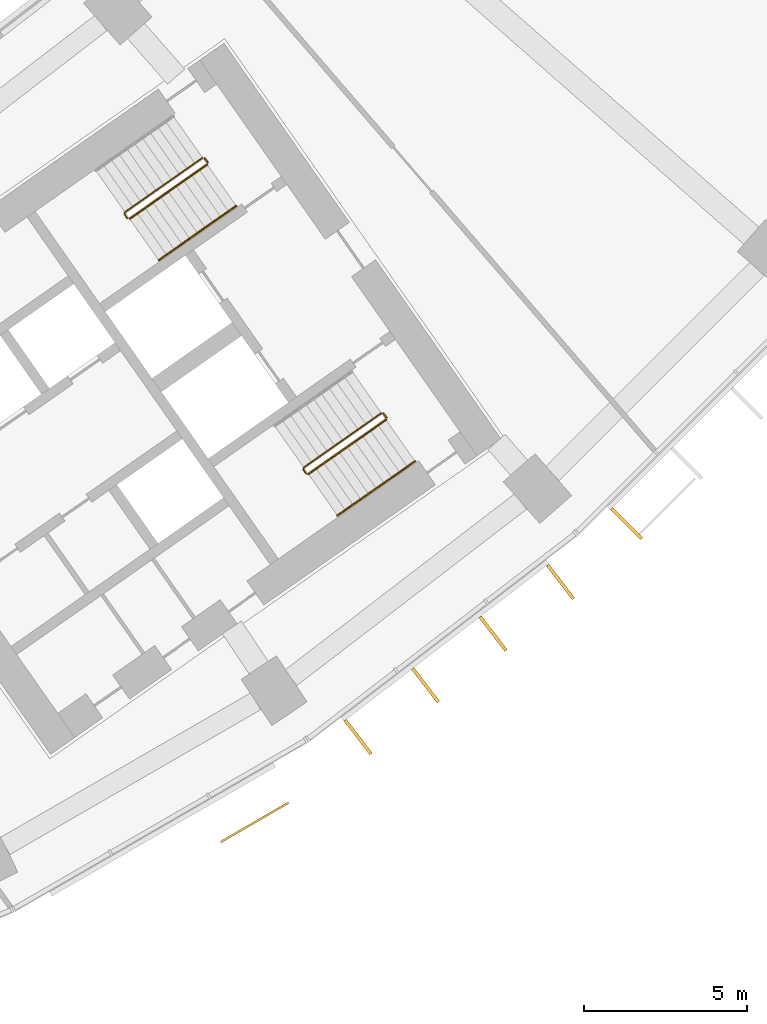
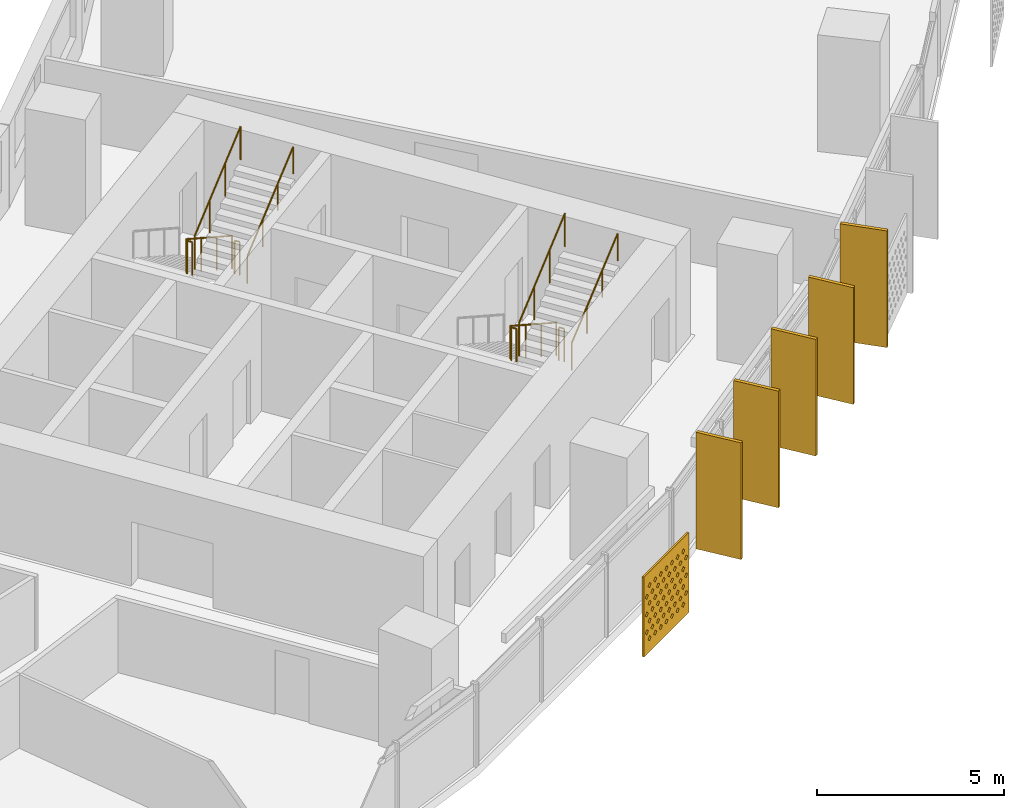
# One storey, part 29 of 31: 8 railings, 6 shading devices.
"""IFC4 building model written with IfcOpenShell, lengths in metres."""

from ifc_helpers import new_model, si_unit, direction, frame, origin, origin_2d, place, context, subcontext, project, spatial, polyline, rectangle, circle, outline, extrude, material, material_profile, profile_set, type_object, element, save


model = new_model("IFC4")

# Units and contexts
model_context = context("Model", 3, precision=1e-05, world=origin(), true_north=direction((0.0, 1.0)))
body_context = subcontext(model_context, "Body", "Model", "MODEL_VIEW")
ifc_project = project(units=[si_unit("LENGTHUNIT", "METRE"), si_unit("AREAUNIT", "SQUARE_METRE"), si_unit("VOLUMEUNIT", "CUBIC_METRE"), si_unit("PLANEANGLEUNIT", "RADIAN"), si_unit("MASSUNIT", "GRAM", prefix="KILO")], contexts=[model_context])

# Site, building, storey
site_placement = place(None, origin())
site = spatial("IfcSite", under=ifc_project, at=site_placement, CompositionType="ELEMENT")
building_placement = place(site_placement, origin())
building = spatial("IfcBuilding", under=site, at=building_placement, Name="Qamariyya Broadcast Tower", CompositionType="ELEMENT")
storey_placement = place(building_placement, frame((0.0, 0.0, 74.699951171875)))
storey = spatial("IfcBuildingStorey", under=building, at=storey_placement, Name="L15", CompositionType="ELEMENT", Elevation=74.699951171875)

# Shading device
ifc_material_1 = material(Name="Perforated glazed terracotta", Category="masonry")
ifc_material_profile_1 = material_profile(ifc_material_1, outline(polyline([(-1.199951171875, -1.300048828125), (1.199951171875, -1.300048828125), (1.199951171875, 1.300048828125), (-1.199951171875, 1.300048828125), (-1.199951171875, -1.300048828125)]), holes=[polyline([(-0.81494140625, -0.86669921875), (-0.89990234375, -0.78173828125), (-0.985107421875, -0.86669921875), (-0.89990234375, -0.95166015625), (-0.81494140625, -0.86669921875)]), polyline([(-0.514892578125, -0.86669921875), (-0.60009765625, -0.78173828125), (-0.68505859375, -0.86669921875), (-0.60009765625, -0.95166015625), (-0.514892578125, -0.86669921875)]), polyline([(-0.215087890625, -0.86669921875), (-0.300048828125, -0.78173828125), (-0.385009765625, -0.86669921875), (-0.300048828125, -0.95166015625), (-0.215087890625, -0.86669921875)]), polyline([(0.0849609375, -0.86669921875), (0.0, -0.78173828125), (-0.0849609375, -0.86669921875), (0.0, -0.95166015625), (0.0849609375, -0.86669921875)]), polyline([(0.385009765625, -0.86669921875), (0.300048828125, -0.78173828125), (0.215087890625, -0.86669921875), (0.300048828125, -0.95166015625), (0.385009765625, -0.86669921875)]), polyline([(0.68505859375, -0.86669921875), (0.60009765625, -0.78173828125), (0.514892578125, -0.86669921875), (0.60009765625, -0.95166015625), (0.68505859375, -0.86669921875)]), polyline([(0.985107421875, -0.86669921875), (0.89990234375, -0.78173828125), (0.81494140625, -0.86669921875), (0.89990234375, -0.95166015625), (0.985107421875, -0.86669921875)]), polyline([(-0.965087890625, -0.577880859375), (-1.050048828125, -0.49267578125), (-1.135009765625, -0.577880859375), (-1.050048828125, -0.662841796875), (-0.965087890625, -0.577880859375)]), polyline([(-0.6650390625, -0.577880859375), (-0.75, -0.49267578125), (-0.8349609375, -0.577880859375), (-0.75, -0.662841796875), (-0.6650390625, -0.577880859375)]), polyline([(-0.364990234375, -0.577880859375), (-0.449951171875, -0.49267578125), (-0.534912109375, -0.577880859375), (-0.449951171875, -0.662841796875), (-0.364990234375, -0.577880859375)]), polyline([(-0.06494140625, -0.577880859375), (-0.14990234375, -0.49267578125), (-0.235107421875, -0.577880859375), (-0.14990234375, -0.662841796875), (-0.06494140625, -0.577880859375)]), polyline([(0.235107421875, -0.577880859375), (0.14990234375, -0.49267578125), (0.06494140625, -0.577880859375), (0.14990234375, -0.662841796875), (0.235107421875, -0.577880859375)]), polyline([(0.534912109375, -0.577880859375), (0.449951171875, -0.49267578125), (0.364990234375, -0.577880859375), (0.449951171875, -0.662841796875), (0.534912109375, -0.577880859375)]), polyline([(0.8349609375, -0.577880859375), (0.75, -0.49267578125), (0.6650390625, -0.577880859375), (0.75, -0.662841796875), (0.8349609375, -0.577880859375)]), polyline([(1.135009765625, -0.577880859375), (1.050048828125, -0.49267578125), (0.965087890625, -0.577880859375), (1.050048828125, -0.662841796875), (1.135009765625, -0.577880859375)]), polyline([(-0.81494140625, -0.288818359375), (-0.89990234375, -0.203857421875), (-0.985107421875, -0.288818359375), (-0.89990234375, -0.373779296875), (-0.81494140625, -0.288818359375)]), polyline([(-0.514892578125, -0.288818359375), (-0.60009765625, -0.203857421875), (-0.68505859375, -0.288818359375), (-0.60009765625, -0.373779296875), (-0.514892578125, -0.288818359375)]), polyline([(-0.215087890625, -0.288818359375), (-0.300048828125, -0.203857421875), (-0.385009765625, -0.288818359375), (-0.300048828125, -0.373779296875), (-0.215087890625, -0.288818359375)]), polyline([(0.0849609375, -0.288818359375), (0.0, -0.203857421875), (-0.0849609375, -0.288818359375), (0.0, -0.373779296875), (0.0849609375, -0.288818359375)]), polyline([(0.385009765625, -0.288818359375), (0.300048828125, -0.203857421875), (0.215087890625, -0.288818359375), (0.300048828125, -0.373779296875), (0.385009765625, -0.288818359375)]), polyline([(0.68505859375, -0.288818359375), (0.60009765625, -0.203857421875), (0.514892578125, -0.288818359375), (0.60009765625, -0.373779296875), (0.68505859375, -0.288818359375)]), polyline([(0.985107421875, -0.288818359375), (0.89990234375, -0.203857421875), (0.81494140625, -0.288818359375), (0.89990234375, -0.373779296875), (0.985107421875, -0.288818359375)]), polyline([(-0.965087890625, 0.0), (-1.050048828125, 0.0849609375), (-1.135009765625, 0.0), (-1.050048828125, -0.0849609375), (-0.965087890625, 0.0)]), polyline([(-0.6650390625, 0.0), (-0.75, 0.0849609375), (-0.8349609375, 0.0), (-0.75, -0.0849609375), (-0.6650390625, 0.0)]), polyline([(-0.364990234375, 0.0), (-0.449951171875, 0.0849609375), (-0.534912109375, 0.0), (-0.449951171875, -0.0849609375), (-0.364990234375, 0.0)]), polyline([(-0.06494140625, 0.0), (-0.14990234375, 0.0849609375), (-0.235107421875, 0.0), (-0.14990234375, -0.0849609375), (-0.06494140625, 0.0)]), polyline([(0.235107421875, 0.0), (0.14990234375, 0.0849609375), (0.06494140625, 0.0), (0.14990234375, -0.0849609375), (0.235107421875, 0.0)]), polyline([(0.534912109375, 0.0), (0.449951171875, 0.0849609375), (0.364990234375, 0.0), (0.449951171875, -0.0849609375), (0.534912109375, 0.0)]), polyline([(0.8349609375, 0.0), (0.75, 0.0849609375), (0.6650390625, 0.0), (0.75, -0.0849609375), (0.8349609375, 0.0)]), polyline([(1.135009765625, 0.0), (1.050048828125, 0.0849609375), (0.965087890625, 0.0), (1.050048828125, -0.0849609375), (1.135009765625, 0.0)]), polyline([(-0.81494140625, 0.288818359375), (-0.89990234375, 0.373779296875), (-0.985107421875, 0.288818359375), (-0.89990234375, 0.203857421875), (-0.81494140625, 0.288818359375)]), polyline([(-0.514892578125, 0.288818359375), (-0.60009765625, 0.373779296875), (-0.68505859375, 0.288818359375), (-0.60009765625, 0.203857421875), (-0.514892578125, 0.288818359375)]), polyline([(-0.215087890625, 0.288818359375), (-0.300048828125, 0.373779296875), (-0.385009765625, 0.288818359375), (-0.300048828125, 0.203857421875), (-0.215087890625, 0.288818359375)]), polyline([(0.0849609375, 0.288818359375), (0.0, 0.373779296875), (-0.0849609375, 0.288818359375), (0.0, 0.203857421875), (0.0849609375, 0.288818359375)]), polyline([(0.385009765625, 0.288818359375), (0.300048828125, 0.373779296875), (0.215087890625, 0.288818359375), (0.300048828125, 0.203857421875), (0.385009765625, 0.288818359375)]), polyline([(0.68505859375, 0.288818359375), (0.60009765625, 0.373779296875), (0.514892578125, 0.288818359375), (0.60009765625, 0.203857421875), (0.68505859375, 0.288818359375)]), polyline([(0.985107421875, 0.288818359375), (0.89990234375, 0.373779296875), (0.81494140625, 0.288818359375), (0.89990234375, 0.203857421875), (0.985107421875, 0.288818359375)]), polyline([(-0.965087890625, 0.577880859375), (-1.050048828125, 0.662841796875), (-1.135009765625, 0.577880859375), (-1.050048828125, 0.49267578125), (-0.965087890625, 0.577880859375)]), polyline([(-0.6650390625, 0.577880859375), (-0.75, 0.662841796875), (-0.8349609375, 0.577880859375), (-0.75, 0.49267578125), (-0.6650390625, 0.577880859375)]), polyline([(-0.364990234375, 0.577880859375), (-0.449951171875, 0.662841796875), (-0.534912109375, 0.577880859375), (-0.449951171875, 0.49267578125), (-0.364990234375, 0.577880859375)]), polyline([(-0.06494140625, 0.577880859375), (-0.14990234375, 0.662841796875), (-0.235107421875, 0.577880859375), (-0.14990234375, 0.49267578125), (-0.06494140625, 0.577880859375)]), polyline([(0.235107421875, 0.577880859375), (0.14990234375, 0.662841796875), (0.06494140625, 0.577880859375), (0.14990234375, 0.49267578125), (0.235107421875, 0.577880859375)]), polyline([(0.534912109375, 0.577880859375), (0.449951171875, 0.662841796875), (0.364990234375, 0.577880859375), (0.449951171875, 0.49267578125), (0.534912109375, 0.577880859375)]), polyline([(0.8349609375, 0.577880859375), (0.75, 0.662841796875), (0.6650390625, 0.577880859375), (0.75, 0.49267578125), (0.8349609375, 0.577880859375)]), polyline([(1.135009765625, 0.577880859375), (1.050048828125, 0.662841796875), (0.965087890625, 0.577880859375), (1.050048828125, 0.49267578125), (1.135009765625, 0.577880859375)]), polyline([(-0.81494140625, 0.86669921875), (-0.89990234375, 0.95166015625), (-0.985107421875, 0.86669921875), (-0.89990234375, 0.78173828125), (-0.81494140625, 0.86669921875)]), polyline([(-0.514892578125, 0.86669921875), (-0.60009765625, 0.95166015625), (-0.68505859375, 0.86669921875), (-0.60009765625, 0.78173828125), (-0.514892578125, 0.86669921875)]), polyline([(-0.215087890625, 0.86669921875), (-0.300048828125, 0.95166015625), (-0.385009765625, 0.86669921875), (-0.300048828125, 0.78173828125), (-0.215087890625, 0.86669921875)]), polyline([(0.0849609375, 0.86669921875), (0.0, 0.95166015625), (-0.0849609375, 0.86669921875), (0.0, 0.78173828125), (0.0849609375, 0.86669921875)]), polyline([(0.385009765625, 0.86669921875), (0.300048828125, 0.95166015625), (0.215087890625, 0.86669921875), (0.300048828125, 0.78173828125), (0.385009765625, 0.86669921875)]), polyline([(0.68505859375, 0.86669921875), (0.60009765625, 0.95166015625), (0.514892578125, 0.86669921875), (0.60009765625, 0.78173828125), (0.68505859375, 0.86669921875)]), polyline([(0.985107421875, 0.86669921875), (0.89990234375, 0.95166015625), (0.81494140625, 0.86669921875), (0.89990234375, 0.78173828125), (0.985107421875, 0.86669921875)])]))
ifc_profile_set_1 = profile_set([ifc_material_profile_1], Name="Perforated glazed terracotta")
shading_device_type_1 = type_object("IfcShadingDeviceType", Name="Perforated terracotta screen 2400 x 2600", PredefinedType="USERDEFINED", material=ifc_profile_set_1)
shading_device_placement = place(storey_placement, frame((42.585205078125, -68.655029296875, 1.35009765625), z_axis=(0.501840203948, -0.86496035152, 0.0), x_axis=(0.86496035152, 0.501840203948, 0.0)))
element("IfcShadingDevice", 1, at=shading_device_placement, inside=storey, type_object=shading_device_type_1, Name="e-scr-L15-12-2", ObjectType="SCREEN", PredefinedType="USERDEFINED", context=body_context, shape_type="SweptSolid", body=[
    extrude(outline(polyline([(-1.199951171875, -1.300048828125), (1.199951171875, -1.300048828125), (1.199951171875, 1.300048828125), (-1.199951171875, 1.300048828125), (-1.199951171875, -1.300048828125)]), holes=[polyline([(-0.81494140625, -0.86669921875), (-0.89990234375, -0.78173828125), (-0.985107421875, -0.86669921875), (-0.89990234375, -0.95166015625), (-0.81494140625, -0.86669921875)]), polyline([(-0.514892578125, -0.86669921875), (-0.60009765625, -0.78173828125), (-0.68505859375, -0.86669921875), (-0.60009765625, -0.95166015625), (-0.514892578125, -0.86669921875)]), polyline([(-0.215087890625, -0.86669921875), (-0.300048828125, -0.78173828125), (-0.385009765625, -0.86669921875), (-0.300048828125, -0.95166015625), (-0.215087890625, -0.86669921875)]), polyline([(0.0849609375, -0.86669921875), (0.0, -0.78173828125), (-0.0849609375, -0.86669921875), (0.0, -0.95166015625), (0.0849609375, -0.86669921875)]), polyline([(0.385009765625, -0.86669921875), (0.300048828125, -0.78173828125), (0.215087890625, -0.86669921875), (0.300048828125, -0.95166015625), (0.385009765625, -0.86669921875)]), polyline([(0.68505859375, -0.86669921875), (0.60009765625, -0.78173828125), (0.514892578125, -0.86669921875), (0.60009765625, -0.95166015625), (0.68505859375, -0.86669921875)]), polyline([(0.985107421875, -0.86669921875), (0.89990234375, -0.78173828125), (0.81494140625, -0.86669921875), (0.89990234375, -0.95166015625), (0.985107421875, -0.86669921875)]), polyline([(-0.965087890625, -0.577880859375), (-1.050048828125, -0.49267578125), (-1.135009765625, -0.577880859375), (-1.050048828125, -0.662841796875), (-0.965087890625, -0.577880859375)]), polyline([(-0.6650390625, -0.577880859375), (-0.75, -0.49267578125), (-0.8349609375, -0.577880859375), (-0.75, -0.662841796875), (-0.6650390625, -0.577880859375)]), polyline([(-0.364990234375, -0.577880859375), (-0.449951171875, -0.49267578125), (-0.534912109375, -0.577880859375), (-0.449951171875, -0.662841796875), (-0.364990234375, -0.577880859375)]), polyline([(-0.06494140625, -0.577880859375), (-0.14990234375, -0.49267578125), (-0.235107421875, -0.577880859375), (-0.14990234375, -0.662841796875), (-0.06494140625, -0.577880859375)]), polyline([(0.235107421875, -0.577880859375), (0.14990234375, -0.49267578125), (0.06494140625, -0.577880859375), (0.14990234375, -0.662841796875), (0.235107421875, -0.577880859375)]), polyline([(0.534912109375, -0.577880859375), (0.449951171875, -0.49267578125), (0.364990234375, -0.577880859375), (0.449951171875, -0.662841796875), (0.534912109375, -0.577880859375)]), polyline([(0.8349609375, -0.577880859375), (0.75, -0.49267578125), (0.6650390625, -0.577880859375), (0.75, -0.662841796875), (0.8349609375, -0.577880859375)]), polyline([(1.135009765625, -0.577880859375), (1.050048828125, -0.49267578125), (0.965087890625, -0.577880859375), (1.050048828125, -0.662841796875), (1.135009765625, -0.577880859375)]), polyline([(-0.81494140625, -0.288818359375), (-0.89990234375, -0.203857421875), (-0.985107421875, -0.288818359375), (-0.89990234375, -0.373779296875), (-0.81494140625, -0.288818359375)]), polyline([(-0.514892578125, -0.288818359375), (-0.60009765625, -0.203857421875), (-0.68505859375, -0.288818359375), (-0.60009765625, -0.373779296875), (-0.514892578125, -0.288818359375)]), polyline([(-0.215087890625, -0.288818359375), (-0.300048828125, -0.203857421875), (-0.385009765625, -0.288818359375), (-0.300048828125, -0.373779296875), (-0.215087890625, -0.288818359375)]), polyline([(0.0849609375, -0.288818359375), (0.0, -0.203857421875), (-0.0849609375, -0.288818359375), (0.0, -0.373779296875), (0.0849609375, -0.288818359375)]), polyline([(0.385009765625, -0.288818359375), (0.300048828125, -0.203857421875), (0.215087890625, -0.288818359375), (0.300048828125, -0.373779296875), (0.385009765625, -0.288818359375)]), polyline([(0.68505859375, -0.288818359375), (0.60009765625, -0.203857421875), (0.514892578125, -0.288818359375), (0.60009765625, -0.373779296875), (0.68505859375, -0.288818359375)]), polyline([(0.985107421875, -0.288818359375), (0.89990234375, -0.203857421875), (0.81494140625, -0.288818359375), (0.89990234375, -0.373779296875), (0.985107421875, -0.288818359375)]), polyline([(-0.965087890625, 0.0), (-1.050048828125, 0.0849609375), (-1.135009765625, 0.0), (-1.050048828125, -0.0849609375), (-0.965087890625, 0.0)]), polyline([(-0.6650390625, 0.0), (-0.75, 0.0849609375), (-0.8349609375, 0.0), (-0.75, -0.0849609375), (-0.6650390625, 0.0)]), polyline([(-0.364990234375, 0.0), (-0.449951171875, 0.0849609375), (-0.534912109375, 0.0), (-0.449951171875, -0.0849609375), (-0.364990234375, 0.0)]), polyline([(-0.06494140625, 0.0), (-0.14990234375, 0.0849609375), (-0.235107421875, 0.0), (-0.14990234375, -0.0849609375), (-0.06494140625, 0.0)]), polyline([(0.235107421875, 0.0), (0.14990234375, 0.0849609375), (0.06494140625, 0.0), (0.14990234375, -0.0849609375), (0.235107421875, 0.0)]), polyline([(0.534912109375, 0.0), (0.449951171875, 0.0849609375), (0.364990234375, 0.0), (0.449951171875, -0.0849609375), (0.534912109375, 0.0)]), polyline([(0.8349609375, 0.0), (0.75, 0.0849609375), (0.6650390625, 0.0), (0.75, -0.0849609375), (0.8349609375, 0.0)]), polyline([(1.135009765625, 0.0), (1.050048828125, 0.0849609375), (0.965087890625, 0.0), (1.050048828125, -0.0849609375), (1.135009765625, 0.0)]), polyline([(-0.81494140625, 0.288818359375), (-0.89990234375, 0.373779296875), (-0.985107421875, 0.288818359375), (-0.89990234375, 0.203857421875), (-0.81494140625, 0.288818359375)]), polyline([(-0.514892578125, 0.288818359375), (-0.60009765625, 0.373779296875), (-0.68505859375, 0.288818359375), (-0.60009765625, 0.203857421875), (-0.514892578125, 0.288818359375)]), polyline([(-0.215087890625, 0.288818359375), (-0.300048828125, 0.373779296875), (-0.385009765625, 0.288818359375), (-0.300048828125, 0.203857421875), (-0.215087890625, 0.288818359375)]), polyline([(0.0849609375, 0.288818359375), (0.0, 0.373779296875), (-0.0849609375, 0.288818359375), (0.0, 0.203857421875), (0.0849609375, 0.288818359375)]), polyline([(0.385009765625, 0.288818359375), (0.300048828125, 0.373779296875), (0.215087890625, 0.288818359375), (0.300048828125, 0.203857421875), (0.385009765625, 0.288818359375)]), polyline([(0.68505859375, 0.288818359375), (0.60009765625, 0.373779296875), (0.514892578125, 0.288818359375), (0.60009765625, 0.203857421875), (0.68505859375, 0.288818359375)]), polyline([(0.985107421875, 0.288818359375), (0.89990234375, 0.373779296875), (0.81494140625, 0.288818359375), (0.89990234375, 0.203857421875), (0.985107421875, 0.288818359375)]), polyline([(-0.965087890625, 0.577880859375), (-1.050048828125, 0.662841796875), (-1.135009765625, 0.577880859375), (-1.050048828125, 0.49267578125), (-0.965087890625, 0.577880859375)]), polyline([(-0.6650390625, 0.577880859375), (-0.75, 0.662841796875), (-0.8349609375, 0.577880859375), (-0.75, 0.49267578125), (-0.6650390625, 0.577880859375)]), polyline([(-0.364990234375, 0.577880859375), (-0.449951171875, 0.662841796875), (-0.534912109375, 0.577880859375), (-0.449951171875, 0.49267578125), (-0.364990234375, 0.577880859375)]), polyline([(-0.06494140625, 0.577880859375), (-0.14990234375, 0.662841796875), (-0.235107421875, 0.577880859375), (-0.14990234375, 0.49267578125), (-0.06494140625, 0.577880859375)]), polyline([(0.235107421875, 0.577880859375), (0.14990234375, 0.662841796875), (0.06494140625, 0.577880859375), (0.14990234375, 0.49267578125), (0.235107421875, 0.577880859375)]), polyline([(0.534912109375, 0.577880859375), (0.449951171875, 0.662841796875), (0.364990234375, 0.577880859375), (0.449951171875, 0.49267578125), (0.534912109375, 0.577880859375)]), polyline([(0.8349609375, 0.577880859375), (0.75, 0.662841796875), (0.6650390625, 0.577880859375), (0.75, 0.49267578125), (0.8349609375, 0.577880859375)]), polyline([(1.135009765625, 0.577880859375), (1.050048828125, 0.662841796875), (0.965087890625, 0.577880859375), (1.050048828125, 0.49267578125), (1.135009765625, 0.577880859375)]), polyline([(-0.81494140625, 0.86669921875), (-0.89990234375, 0.95166015625), (-0.985107421875, 0.86669921875), (-0.89990234375, 0.78173828125), (-0.81494140625, 0.86669921875)]), polyline([(-0.514892578125, 0.86669921875), (-0.60009765625, 0.95166015625), (-0.68505859375, 0.86669921875), (-0.60009765625, 0.78173828125), (-0.514892578125, 0.86669921875)]), polyline([(-0.215087890625, 0.86669921875), (-0.300048828125, 0.95166015625), (-0.385009765625, 0.86669921875), (-0.300048828125, 0.78173828125), (-0.215087890625, 0.86669921875)]), polyline([(0.0849609375, 0.86669921875), (0.0, 0.95166015625), (-0.0849609375, 0.86669921875), (0.0, 0.78173828125), (0.0849609375, 0.86669921875)]), polyline([(0.385009765625, 0.86669921875), (0.300048828125, 0.95166015625), (0.215087890625, 0.86669921875), (0.300048828125, 0.78173828125), (0.385009765625, 0.86669921875)]), polyline([(0.68505859375, 0.86669921875), (0.60009765625, 0.95166015625), (0.514892578125, 0.86669921875), (0.60009765625, 0.78173828125), (0.68505859375, 0.86669921875)]), polyline([(0.985107421875, 0.86669921875), (0.89990234375, 0.95166015625), (0.81494140625, 0.86669921875), (0.89990234375, 0.78173828125), (0.985107421875, 0.86669921875)])]), origin(), (0.0, 0.0, 1.0), 0.059814453125),
])

# Railings
ifc_material_2 = material(Name="Painted steel", Category="steel")
railing_type_1 = type_object("IfcRailingType", Name="Stair guard", PredefinedType="GUARDRAIL", material=ifc_material_2)
railing_1_placement = place(storey_placement, frame((41.003173828125, -48.320068359375, 0.1728515625)))
element("IfcRailing", 2, at=railing_1_placement, inside=storey, type_object=railing_type_1, Name="L15 ST-E2 stair guard 1", PredefinedType="GUARDRAIL", context=body_context, shape_type="SweptSolid", body=[
    extrude(circle(Radius=0.02392578125, at=origin_2d()), frame((0.0, 0.0, 1.076171875), z_axis=(-0.703770094002, -0.492783725636, 0.511734163933), x_axis=(0.573575343427, -0.819152809562, 0.0)), (0.0, 0.0, 1.0), 3.37548828125),
    extrude(circle(Radius=0.02392578125, at=origin_2d()), frame((-2.37548828125, -1.663330078125, 2.80322265625), z_axis=(-0.172799478008, -0.984957024646, 0.0), x_axis=(0.984957024646, -0.172799478008, 0.0)), (0.0, 0.0, 1.0), 0.070556640625),
    extrude(circle(Radius=0.02392578125, at=origin_2d()), frame((-2.3876953125, -1.73291015625, 2.80322265625), z_axis=(0.572588637393, -0.819842821722, 0.0), x_axis=(0.819842821722, 0.572588637393, 0.0)), (0.0, 0.0, 1.0), 0.150146484375),
    extrude(circle(Radius=0.02099609375, at=origin_2d()), origin(), (0.0, 0.0, 1.0), 1.052001953125),
    extrude(circle(Radius=0.02099609375, at=origin_2d()), frame((-0.791748046875, -0.554443359375, 0.57568359375)), (0.0, 0.0, 1.0), 1.052001953125),
    extrude(circle(Radius=0.02099609375, at=origin_2d()), frame((-1.583740234375, -1.10888671875, 1.151611328125)), (0.0, 0.0, 1.0), 1.052001953125),
    extrude(circle(Radius=0.02099609375, at=origin_2d()), frame((-2.37548828125, -1.663330078125, 1.727294921875)), (0.0, 0.0, 1.0), 1.052001953125),
    extrude(circle(Radius=0.02099609375, at=origin_2d()), frame((-2.3876953125, -1.73291015625, 1.727294921875)), (0.0, 0.0, 1.0), 1.052001953125),
    extrude(circle(Radius=0.02099609375, at=origin_2d()), frame((-2.3017578125, -1.85595703125, 1.727294921875)), (0.0, 0.0, 1.0), 1.052001953125),
])
railing_2_placement = place(storey_placement, frame((38.771240234375, -50.188232421875, 2.07275390625)))
element("IfcRailing", 3, at=railing_2_placement, inside=storey, type_object=railing_type_1, Name="L15 ST-E2 stair guard 2", PredefinedType="GUARDRAIL", context=body_context, shape_type="SweptSolid", body=[
    extrude(circle(Radius=0.02392578125, at=origin_2d()), frame((0.0, 0.0, 1.076171875), z_axis=(0.703770094002, 0.492783725636, 0.511734163933), x_axis=(-0.573575343427, 0.819152809562, 0.0)), (0.0, 0.0, 1.0), 3.37548828125),
    extrude(circle(Radius=0.02099609375, at=origin_2d()), origin(), (0.0, 0.0, 1.0), 1.052001953125),
    extrude(circle(Radius=0.02099609375, at=origin_2d()), frame((0.791748046875, 0.554443359375, 0.57568359375)), (0.0, 0.0, 1.0), 1.052001953125),
    extrude(circle(Radius=0.02099609375, at=origin_2d()), frame((1.583740234375, 1.10888671875, 1.151611328125)), (0.0, 0.0, 1.0), 1.052001953125),
    extrude(circle(Radius=0.02099609375, at=origin_2d()), frame((2.37548828125, 1.663330078125, 1.727294921875)), (0.0, 0.0, 1.0), 1.052001953125),
])
railing_3_placement = place(storey_placement, frame((41.072998046875, -48.332275390625, 0.0)))
element("IfcRailing", 4, at=railing_3_placement, inside=storey, type_object=railing_type_1, Name="L15 ST-E2 stair guard 3", PredefinedType="GUARDRAIL", context=body_context, shape_type="SweptSolid", body=[
    extrude(circle(Radius=0.02392578125, at=origin_2d()), frame((0.0, 0.0, 1.076171875), z_axis=(0.572588637393, -0.819842821722, 0.0), x_axis=(0.819842821722, 0.572588637393, 0.0)), (0.0, 0.0, 1.0), 0.150146484375),
    extrude(circle(Radius=0.02099609375, at=origin_2d()), origin(), (0.0, 0.0, 1.0), 1.052001953125),
    extrude(circle(Radius=0.02099609375, at=origin_2d()), frame((0.0859375, -0.123046875, 0.0)), (0.0, 0.0, 1.0), 1.052001953125),
])
railing_4_placement = place(storey_placement, frame((46.48095703125, -56.14306640625, 0.1728515625)))
element("IfcRailing", 5, at=railing_4_placement, inside=storey, type_object=railing_type_1, Name="L15 ST-E1 stair guard 1", PredefinedType="GUARDRAIL", context=body_context, shape_type="SweptSolid", body=[
    extrude(circle(Radius=0.02392578125, at=origin_2d()), frame((0.0, 0.0, 1.076171875), z_axis=(-0.703770094002, -0.492783725636, 0.511734163933), x_axis=(0.573575343427, -0.819152809562, 0.0)), (0.0, 0.0, 1.0), 3.37548828125),
    extrude(circle(Radius=0.02392578125, at=origin_2d()), frame((-2.37548828125, -1.663330078125, 2.80322265625), z_axis=(-0.176149252506, -0.984363469884, 0.0), x_axis=(0.984363469884, -0.176149252506, 0.0)), (0.0, 0.0, 1.0), 0.07080078125),
    extrude(circle(Radius=0.02392578125, at=origin_2d()), frame((-2.387939453125, -1.73291015625, 2.80322265625), z_axis=(0.574444878118, -0.818543268254, 0.0), x_axis=(0.818543268254, 0.574444878118, 0.0)), (0.0, 0.0, 1.0), 0.150146484375),
    extrude(circle(Radius=0.02099609375, at=origin_2d()), origin(), (0.0, 0.0, 1.0), 1.052001953125),
    extrude(circle(Radius=0.02099609375, at=origin_2d()), frame((-0.791748046875, -0.554443359375, 0.57568359375)), (0.0, 0.0, 1.0), 1.052001953125),
    extrude(circle(Radius=0.02099609375, at=origin_2d()), frame((-1.583740234375, -1.10888671875, 1.151611328125)), (0.0, 0.0, 1.0), 1.052001953125),
    extrude(circle(Radius=0.02099609375, at=origin_2d()), frame((-2.37548828125, -1.663330078125, 1.727294921875)), (0.0, 0.0, 1.0), 1.052001953125),
    extrude(circle(Radius=0.02099609375, at=origin_2d()), frame((-2.387939453125, -1.73291015625, 1.727294921875)), (0.0, 0.0, 1.0), 1.052001953125),
    extrude(circle(Radius=0.02099609375, at=origin_2d()), frame((-2.3017578125, -1.855712890625, 1.727294921875)), (0.0, 0.0, 1.0), 1.052001953125),
])
railing_5_placement = place(storey_placement, frame((44.248779296875, -58.01123046875, 2.07275390625)))
element("IfcRailing", 6, at=railing_5_placement, inside=storey, type_object=railing_type_1, Name="L15 ST-E1 stair guard 2", PredefinedType="GUARDRAIL", context=body_context, shape_type="SweptSolid", body=[
    extrude(circle(Radius=0.02392578125, at=origin_2d()), frame((0.0, 0.0, 1.076171875), z_axis=(0.703745009021, 0.492838488332, 0.511715923826), x_axis=(-0.573631830683, 0.819113253969, 0.0)), (0.0, 0.0, 1.0), 3.37548828125),
    extrude(circle(Radius=0.02099609375, at=origin_2d()), origin(), (0.0, 0.0, 1.0), 1.052001953125),
    extrude(circle(Radius=0.02099609375, at=origin_2d()), frame((0.791748046875, 0.554443359375, 0.57568359375)), (0.0, 0.0, 1.0), 1.052001953125),
    extrude(circle(Radius=0.02099609375, at=origin_2d()), frame((1.583740234375, 1.109130859375, 1.151611328125)), (0.0, 0.0, 1.0), 1.052001953125),
    extrude(circle(Radius=0.02099609375, at=origin_2d()), frame((2.37548828125, 1.66357421875, 1.727294921875)), (0.0, 0.0, 1.0), 1.052001953125),
])
railing_6_placement = place(storey_placement, frame((46.550537109375, -56.1552734375, 0.0)))
element("IfcRailing", 7, at=railing_6_placement, inside=storey, type_object=railing_type_1, Name="L15 ST-E1 stair guard 3", PredefinedType="GUARDRAIL", context=body_context, shape_type="SweptSolid", body=[
    extrude(circle(Radius=0.02392578125, at=origin_2d()), frame((0.0, 0.0, 1.076171875), z_axis=(0.574444878118, -0.818543268254, 0.0), x_axis=(0.818543268254, 0.574444878118, 0.0)), (0.0, 0.0, 1.0), 0.150146484375),
    extrude(circle(Radius=0.02099609375, at=origin_2d()), origin(), (0.0, 0.0, 1.0), 1.052001953125),
    extrude(circle(Radius=0.02099609375, at=origin_2d()), frame((0.086181640625, -0.122802734375, 0.0)), (0.0, 0.0, 1.0), 1.052001953125),
])
ifc_material_3 = material(Name="Stainless steel", Category="steel")
railing_type_2 = type_object("IfcRailingType", Name="Stair handrail", PredefinedType="HANDRAIL", material=ifc_material_3)
railing_7_placement = place(storey_placement, frame((39.66015625, -51.4580078125, 2.07275390625)))
element("IfcRailing", 8, at=railing_7_placement, inside=storey, type_object=railing_type_2, Name="L15 ST-E2 stair handrail 2", PredefinedType="HANDRAIL", context=body_context, shape_type="SweptSolid", body=[
    extrude(circle(Radius=0.02392578125, at=origin_2d()), frame((0.0, 0.0, 0.8759765625), z_axis=(0.703745009021, 0.492838488332, 0.511715923826), x_axis=(-0.573631830683, 0.819113253969, 0.0)), (0.0, 0.0, 1.0), 3.37548828125),
    extrude(circle(Radius=0.02099609375, at=origin_2d()), origin(), (0.0, 0.0, 1.0), 0.851806640625),
    extrude(circle(Radius=0.02099609375, at=origin_2d()), frame((0.791748046875, 0.554443359375, 0.57568359375)), (0.0, 0.0, 1.0), 0.851806640625),
    extrude(circle(Radius=0.02099609375, at=origin_2d()), frame((1.583740234375, 1.109130859375, 1.151611328125)), (0.0, 0.0, 1.0), 0.851806640625),
    extrude(circle(Radius=0.02099609375, at=origin_2d()), frame((2.37548828125, 1.66357421875, 1.727294921875)), (0.0, 0.0, 1.0), 0.851806640625),
])
railing_8_placement = place(storey_placement, frame((45.137939453125, -59.28076171875, 2.07275390625)))
element("IfcRailing", 9, at=railing_8_placement, inside=storey, type_object=railing_type_2, Name="L15 ST-E1 stair handrail 2", PredefinedType="HANDRAIL", context=body_context, shape_type="SweptSolid", body=[
    extrude(circle(Radius=0.02392578125, at=origin_2d()), frame((0.0, 0.0, 0.8759765625), z_axis=(0.703770094002, 0.492783725636, 0.511734163933), x_axis=(-0.573575343427, 0.819152809562, 0.0)), (0.0, 0.0, 1.0), 3.37548828125),
    extrude(circle(Radius=0.02099609375, at=origin_2d()), origin(), (0.0, 0.0, 1.0), 0.851806640625),
    extrude(circle(Radius=0.02099609375, at=origin_2d()), frame((0.791748046875, 0.554443359375, 0.57568359375)), (0.0, 0.0, 1.0), 0.851806640625),
    extrude(circle(Radius=0.02099609375, at=origin_2d()), frame((1.583740234375, 1.10888671875, 1.151611328125)), (0.0, 0.0, 1.0), 0.851806640625),
    extrude(circle(Radius=0.02099609375, at=origin_2d()), frame((2.37548828125, 1.663330078125, 1.727294921875)), (0.0, 0.0, 1.0), 0.851806640625),
])

# Shading devices
ifc_material_4 = material(Name="Glazed terracotta", Category="masonry")
ifc_material_profile_2 = material_profile(ifc_material_4, rectangle(XDim=1.300048828125, YDim=0.10009765625, at=origin_2d()))
ifc_profile_set_2 = profile_set([ifc_material_profile_2], Name="Glazed terracotta")
shading_device_type_2 = type_object("IfcShadingDeviceType", Name="Terracotta fin 100 x 1300", PredefinedType="USERDEFINED", material=ifc_profile_set_2)
for number, where, z_axis, x_axis, name in (
    (10, (45.771484375, -66.068359375, 0.0), (0.0, 0.0, 1.0), (0.608761429009, -0.793353340291, 0.0), "e-fin-L15-13-0"),
    (11, (47.837890625, -64.48291015625, 0.0), (0.0, 0.0, 1.0), (0.608761429009, -0.793353340291, 0.0), "e-fin-L15-13-1"),
    (12, (49.904296875, -62.897216796875, 0.0), (0.0, 0.0, 1.0), (0.608761429009, -0.793353340291, 0.0), "e-fin-L15-13-2"),
    (13, (51.970703125, -61.3115234375, 0.0), (0.0, 0.0, 1.0), (0.608761429009, -0.793353340291, 0.0), "e-fin-L15-13-3"),
    (14, (54.00341796875, -59.52880859375, 0.0), (0.0, 0.0, 1.0), (0.707106781187, -0.707106781187, 0.0), "e-fin-L15-14-0"),
):
    element("IfcShadingDevice", number, at=place(storey_placement, frame(where, z_axis=z_axis, x_axis=x_axis)), inside=storey, type_object=shading_device_type_2, Name=name, ObjectType="FIN", PredefinedType="USERDEFINED", context=body_context, shape_type="SweptSolid", body=[
        extrude(rectangle(XDim=1.300048828125, YDim=0.10009765625, at=origin_2d()), origin(), (0.0, 0.0, 1.0), 3.800048828125),
    ])

save(model, "model.ifc")
